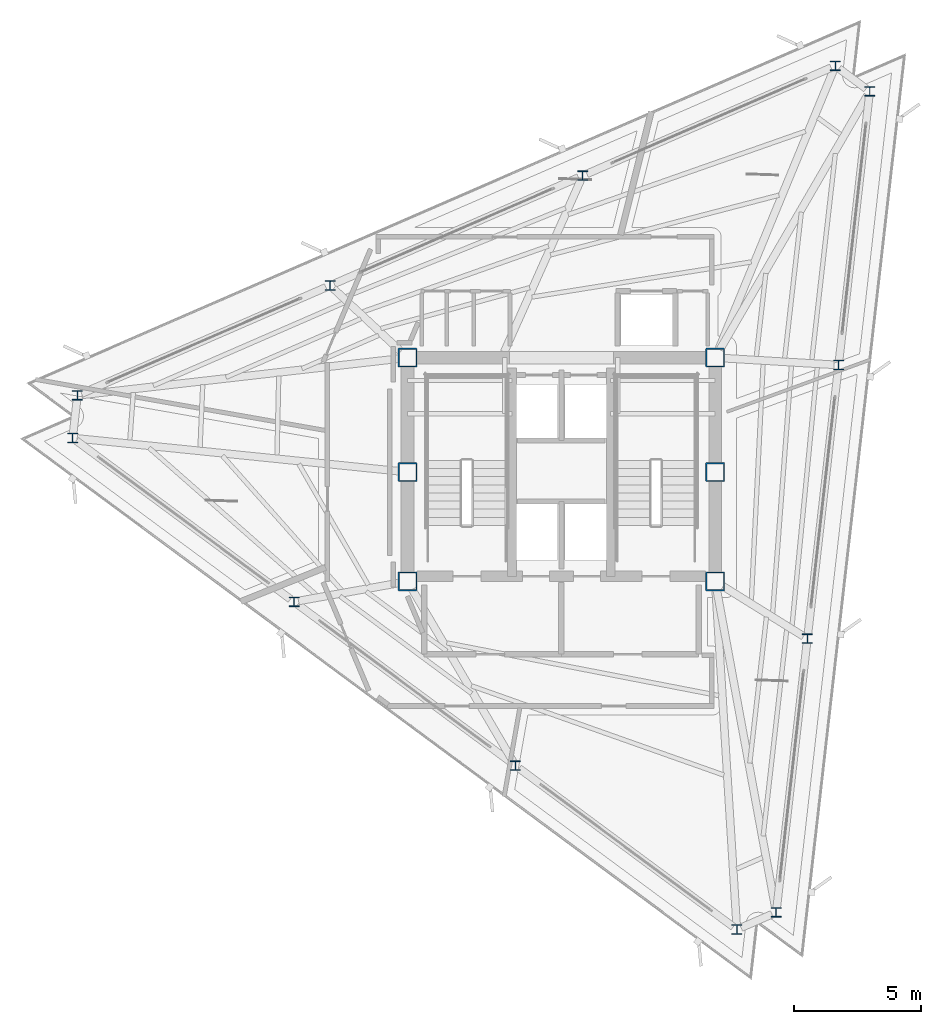
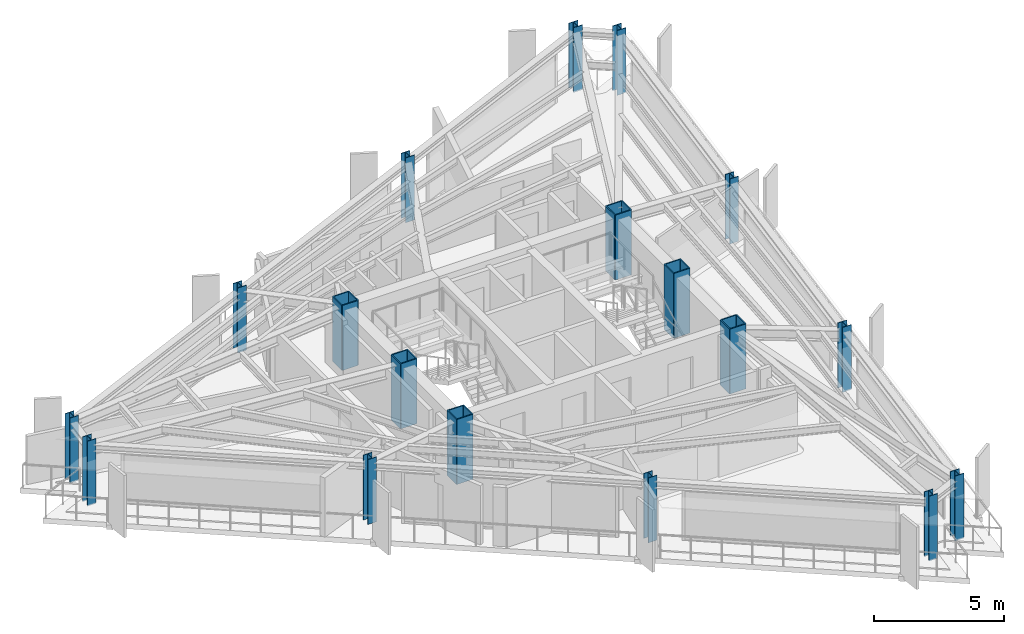
# One storey, part 1 of 10: 18 columns.
"""IFC4 building model written with IfcOpenShell, lengths in metres."""

from ifc_helpers import new_model, si_unit, direction, frame, origin, origin_2d, place, context, subcontext, project, spatial, hollow_rectangle, i_section, extrude, material, material_profile, profile_set, type_object, element, save


model = new_model("IFC4")

# Units and contexts
model_context = context("Model", 3, precision=1e-05, world=origin(), true_north=direction((0.0, 1.0)))
body_context = subcontext(model_context, "Body", "Model", "MODEL_VIEW")
ifc_project = project(units=[si_unit("LENGTHUNIT", "METRE"), si_unit("AREAUNIT", "SQUARE_METRE"), si_unit("VOLUMEUNIT", "CUBIC_METRE"), si_unit("PLANEANGLEUNIT", "RADIAN"), si_unit("MASSUNIT", "GRAM", prefix="KILO")], contexts=[model_context])

# Site, building, storey
site_placement = place(None, origin())
site = spatial("IfcSite", under=ifc_project, at=site_placement, CompositionType="ELEMENT")
building_placement = place(site_placement, origin())
building = spatial("IfcBuilding", under=site, at=building_placement, Name="Rocaltana Carrier Exchange", CompositionType="ELEMENT")
storey_placement = place(building_placement, frame((0.0, 0.0, 220.9599609375)))
storey = spatial("IfcBuildingStorey", under=building, at=storey_placement, Name="L70", CompositionType="ELEMENT", Elevation=220.9599609375)

# Columns
ifc_material_1 = material(Name="Steel S460", Category="steel")
ifc_material_profile_1 = material_profile(ifc_material_1, hollow_rectangle(XDim=0.75, YDim=0.75, WallThickness=0.050048828125, InnerFilletRadius=0.02001953125, OuterFilletRadius=0.0400390625, at=origin_2d()), Name="BOX750X750X50")
ifc_profile_set_1 = profile_set([ifc_material_profile_1], Name="Steel S460")
column_type_1 = type_object("IfcColumnType", Name="Core Mega-Column BOX750", PredefinedType="COLUMN", material=ifc_profile_set_1)
for number, where, z_axis, x_axis, name in (
    (1, (-6.050048828125, 4.5, 0.0), (0.0, 0.0, 1.0), (1.0, 0.0, 0.0), "L70 Core Mega-Column MC1"),
    (2, (6.050048828125, 4.5, 0.0), (0.0, 0.0, 1.0), (1.0, 0.0, 0.0), "L70 Core Mega-Column MC2"),
    (3, (-6.050048828125, 0.0, 0.0), (0.0, 0.0, 1.0), (1.0, 0.0, 0.0), "L70 Core Mega-Column MC3"),
    (4, (6.050048828125, 0.0, 0.0), (0.0, 0.0, 1.0), (1.0, 0.0, 0.0), "L70 Core Mega-Column MC4"),
    (5, (-6.050048828125, -4.300048828125, 0.0), (0.0, 0.0, 1.0), (1.0, 0.0, 0.0), "L70 Core Mega-Column MC5"),
    (6, (6.050048828125, -4.300048828125, 0.0), (0.0, 0.0, 1.0), (1.0, 0.0, 0.0), "L70 Core Mega-Column MC6"),
):
    element("IfcColumn", number, at=place(storey_placement, frame(where, z_axis=z_axis, x_axis=x_axis)), inside=storey, type_object=column_type_1, Name=name, PredefinedType="COLUMN", context=body_context, shape_type="SweptSolid", body=[
        extrude(hollow_rectangle(XDim=0.75, YDim=0.75, WallThickness=0.050048828125, InnerFilletRadius=0.02001953125, OuterFilletRadius=0.0400390625, at=origin_2d()), origin(), (0.0, 0.0, 1.0), 3.0400390625),
    ])
ifc_material_2 = material(Name="Steel S355", Category="steel")
ifc_material_profile_2 = material_profile(ifc_material_2, i_section(OverallWidth=0.39404296875, OverallDepth=0.375, WebThickness=0.017333984375, FlangeThickness=0.027587890625, FilletRadius=0.01611328125, at=origin_2d()), Name="W14X145")
ifc_profile_set_2 = profile_set([ifc_material_profile_2], Name="Steel S355")
column_type_2 = type_object("IfcColumnType", Name="Perimeter Column W14X145", PredefinedType="COLUMN", material=ifc_profile_set_2)
for number, where, z_axis, x_axis, name in (
    (7, (8.448486328125, -17.317626953125, 0.0), (0.0, 0.0, 1.0), (1.0, 0.0, 0.0), "L70 Perimeter Column TC01"),
    (8, (9.675048828125, -6.553955078125, 0.0), (0.0, 0.0, 1.0), (1.0, 0.0, 0.0), "L70 Perimeter Column TC02"),
    (9, (10.9013671875, 4.209716796875, 0.0), (0.0, 0.0, 1.0), (1.0, 0.0, 0.0), "L70 Perimeter Column TC03"),
    (10, (12.127685546875, 14.973388671875, 0.0), (0.0, 0.0, 1.0), (1.0, 0.0, 0.0), "L70 Perimeter Column TC04"),
    (11, (10.773193359375, 15.9755859375, 0.0), (0.0, 0.0, 1.0), (1.0, 0.0, 0.0), "L70 Perimeter Column TC05"),
    (12, (0.83837890625, 11.65576171875, 0.0), (0.0, 0.0, 1.0), (1.0, 0.0, 0.0), "L70 Perimeter Column TC06"),
    (13, (-9.096435546875, 7.3359375, 0.0), (0.0, 0.0, 1.0), (1.0, 0.0, 0.0), "L70 Perimeter Column TC07"),
    (14, (-19.03125, 3.01611328125, 0.0), (0.0, 0.0, 1.0), (1.0, 0.0, 0.0), "L70 Perimeter Column TC08"),
    (15, (-19.221923828125, 1.342041015625, 0.0), (0.0, 0.0, 1.0), (1.0, 0.0, 0.0), "L70 Perimeter Column TC09"),
    (16, (-10.513427734375, -5.101806640625, 0.0), (0.0, 0.0, 1.0), (1.0, 0.0, 0.0), "L70 Perimeter Column TC10"),
    (17, (-1.804931640625, -11.545654296875, 0.0), (0.0, 0.0, 1.0), (1.0, 0.0, 0.0), "L70 Perimeter Column TC11"),
    (18, (6.9033203125, -17.989501953125, 0.0), (0.0, 0.0, 1.0), (1.0, 0.0, 0.0), "L70 Perimeter Column TC12"),
):
    element("IfcColumn", number, at=place(storey_placement, frame(where, z_axis=z_axis, x_axis=x_axis)), inside=storey, type_object=column_type_2, Name=name, PredefinedType="COLUMN", context=body_context, shape_type="SweptSolid", body=[
        extrude(i_section(OverallWidth=0.39404296875, OverallDepth=0.375, WebThickness=0.017333984375, FlangeThickness=0.027587890625, FilletRadius=0.01611328125, at=origin_2d()), origin(), (0.0, 0.0, 1.0), 3.0400390625),
    ])

save(model, "model.ifc")
